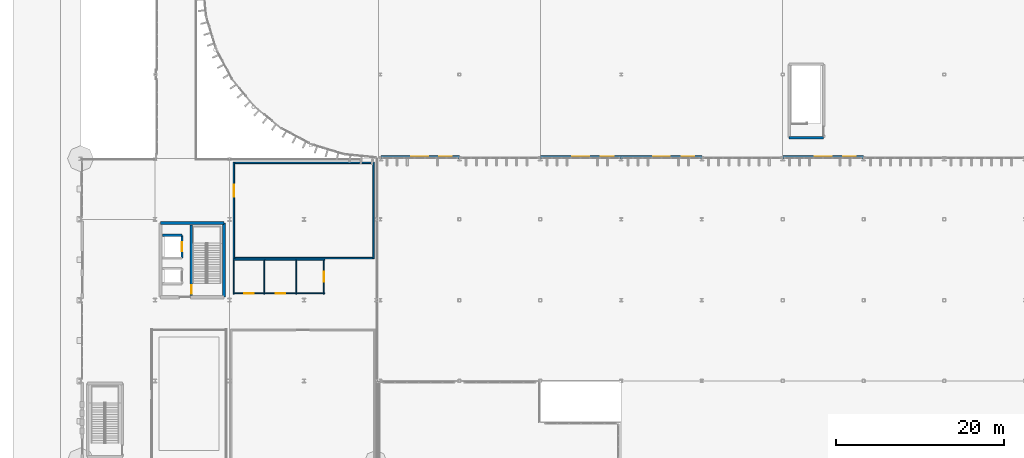
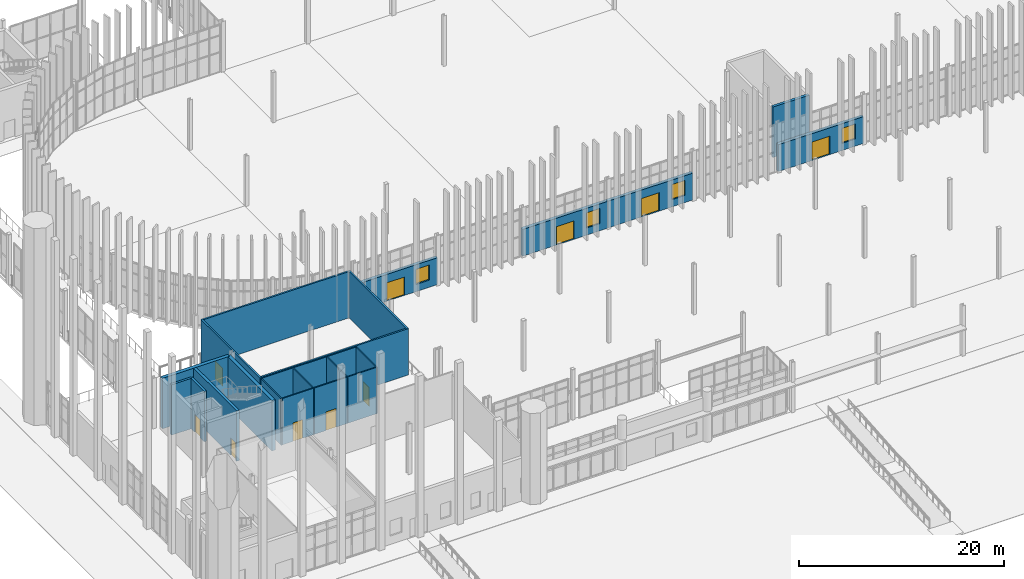
# One storey, part 102 of 139: 24 walls, 10 doors, 4 windows, 14 openings.
"""IFC4 building model written with IfcOpenShell, lengths in metres."""

from ifc_helpers import new_model, si_unit, direction, frame, frame_2d, origin, place, context, subcontext, project, spatial, rectangle, extrude, material, layer, layer_set, type_object, element, fill, save


model = new_model("IFC4")

# Units and contexts
model_context = context("Model", 3, precision=1e-05, world=origin(), true_north=direction((0.0, 1.0)))
body_context = subcontext(model_context, "Body", "Model", "MODEL_VIEW")
ifc_project = project(units=[si_unit("LENGTHUNIT", "METRE"), si_unit("AREAUNIT", "SQUARE_METRE"), si_unit("VOLUMEUNIT", "CUBIC_METRE"), si_unit("PLANEANGLEUNIT", "RADIAN"), si_unit("MASSUNIT", "GRAM", prefix="KILO")], contexts=[model_context])

# Site, building, storey
site_placement = place(None, origin())
site = spatial("IfcSite", under=ifc_project, at=site_placement, CompositionType="ELEMENT")
building_placement = place(site_placement, origin())
building = spatial("IfcBuilding", under=site, at=building_placement, Name="Yeouljin Market Hall", CompositionType="ELEMENT")
storey_placement = place(building_placement, origin())
storey = spatial("IfcBuildingStorey", under=building, at=storey_placement, Name="L00", CompositionType="ELEMENT", Elevation=0.0)

# Wall, opening, door
ifc_material_1 = material(Name="Ceramic-Faced Acoustic Partition")
ifc_layer_1 = layer(ifc_material_1, 0.18994140625)
ifc_layer_set_1 = layer_set([ifc_layer_1], Name="Ceramic-Faced Acoustic Partition")
wall_type_1 = type_object("IfcWallType", Name="Part_KitchenTile_190", PredefinedType="PARTITIONING", material=ifc_layer_set_1)
wall_1_placement = place(storey_placement, frame((18.199951171875, 35.580078125, 0.0), z_axis=(0.0, 0.0, 1.0), x_axis=(0.0, -1.0, 0.0)))
wall_1 = element("IfcWall", 1, at=wall_1_placement, inside=storey, type_object=wall_type_1, Name="Interior partition PART-L00-0056", PredefinedType="PARTITIONING", context=body_context, shape_type="SweptSolid", body=[
    extrude(rectangle(XDim=11.580078125, YDim=0.18994140625, at=frame_2d((5.7900390625, 0.0))), origin(), (0.0, 0.0, 1.0), 5.52001953125),
])
opening_1_placement = place(wall_1_placement, frame((2.64501953125, 0.0, 0.0)))
opening_1 = element("IfcOpeningElement", 2, at=opening_1_placement, cuts=wall_1, Name="Opening D-L00-018", PredefinedType="OPENING", context=body_context, shape_type="SweptSolid", body=[
    extrude(rectangle(XDim=1.43994140625, YDim=2.14990234375, at=frame_2d((0.719970703125, 1.074951171875))), frame((0.0, 0.10498046875, 0.0), z_axis=(0.0, -1.0, 0.0), x_axis=(1.0, 0.0, 0.0)), (0.0, 0.0, 1.0), 0.2099609375),
])
ifc_material_2 = material(Name="Painted Fire-Rated Steel", Category="steel")
door_type_1 = type_object("IfcDoorType", Name="DT-FD144", OperationType="NOTDEFINED", PredefinedType="DOOR", material=ifc_material_2)
door_1_placement = place(opening_1_placement, origin())
door_1 = element("IfcDoor", 3, at=door_1_placement, inside=storey, type_object=door_type_1, Name="Interior door D-L00-018 (Sesame Oil and Grain Mill Workshop)", OperationType="SINGLE_SWING_RIGHT", OverallHeight=2.14990234375, OverallWidth=1.43994140625, PredefinedType="DOOR", context=body_context, shape_type="SweptSolid", body=[
    extrude(rectangle(XDim=1.43994140625, YDim=2.14990234375, at=frame_2d((0.719970703125, 1.074951171875))), frame((0.0, 0.02490234375, 0.0), z_axis=(0.0, -1.0, 0.0), x_axis=(1.0, 0.0, 0.0)), (0.0, 0.0, 1.0), 0.050048828125),
])
fill(opening_1, door_1)

# Walls
for number, where, z_axis, x_axis, name in (
    (4, (18.1201171875, 24.199951171875, 0.0), (0.0, 0.0, 1.0), (1.0, 0.0, 0.0), "Interior partition PART-L00-0057"),
    (5, (34.8798828125, 35.5, 0.0), (0.0, 0.0, 1.0), (-1.0, 0.0, 0.0), "Interior partition PART-L00-0058"),
):
    element("IfcWall", number, at=place(storey_placement, frame(where, z_axis=z_axis, x_axis=x_axis)), inside=storey, type_object=wall_type_1, Name=name, PredefinedType="PARTITIONING", context=body_context, shape_type="SweptSolid", body=[
        extrude(rectangle(XDim=16.759765625, YDim=0.18994140625, at=frame_2d((8.3798828125, 0.0))), origin(), (0.0, 0.0, 1.0), 5.52001953125),
    ])
wall_2_placement = place(storey_placement, frame((34.800048828125, 24.1201171875, 0.0), z_axis=(0.0, 0.0, 1.0), x_axis=(0.0, 1.0, 0.0)))
element("IfcWall", 6, at=wall_2_placement, inside=storey, type_object=wall_type_1, Name="Interior partition PART-L00-0059", PredefinedType="PARTITIONING", context=body_context, shape_type="SweptSolid", body=[
    extrude(rectangle(XDim=11.4599609375, YDim=0.18994140625, at=frame_2d((5.72998046875, 0.0))), origin(), (0.0, 0.0, 1.0), 5.52001953125),
])

# Wall, opening, door
ifc_material_3 = material(Name="Moisture-Resistant Gypsum Partition")
ifc_layer_2 = layer(ifc_material_3, 0.1298828125)
ifc_layer_set_2 = layer_set([ifc_layer_2], Name="Moisture-Resistant Gypsum Partition")
wall_type_2 = type_object("IfcWallType", Name="Part_Sanitary_130", PredefinedType="PARTITIONING", material=ifc_layer_set_2)
wall_3_placement = place(storey_placement, frame((18.1201171875, 20.0, 0.0), z_axis=(0.0, 0.0, 1.0), x_axis=(1.0, 0.0, 0.0)))
wall_3 = element("IfcWall", 7, at=wall_3_placement, inside=storey, type_object=wall_type_2, Name="Interior partition PART-L00-0030", PredefinedType="PARTITIONING", context=body_context, shape_type="SweptSolid", body=[
    extrude(rectangle(XDim=3.759765625, YDim=0.1298828125, at=frame_2d((1.8798828125, 0.0))), origin(), (0.0, 0.0, 1.0), 5.52001953125),
])
opening_2_placement = place(wall_3_placement, frame((1.340087890625, 0.0, 0.0)))
opening_2 = element("IfcOpeningElement", 8, at=opening_2_placement, cuts=wall_3, Name="Opening D-L00-010", PredefinedType="OPENING", context=body_context, shape_type="SweptSolid", body=[
    extrude(rectangle(XDim=1.080078125, YDim=2.219970703125, at=frame_2d((0.5400390625, 1.10986328125))), frame((0.0, 0.074951171875, 0.0), z_axis=(0.0, -1.0, 0.0), x_axis=(1.0, 0.0, 0.0)), (0.0, 0.0, 1.0), 0.14990234375),
])
ifc_material_4 = material(Name="Acoustic Timber Veneer", Category="wood")
door_type_2 = type_object("IfcDoorType", Name="DT-ID108H", OperationType="NOTDEFINED", PredefinedType="DOOR", material=ifc_material_4)
door_2_placement = place(opening_2_placement, origin())
door_2 = element("IfcDoor", 9, at=door_2_placement, inside=storey, type_object=door_type_2, Name="Interior door D-L00-010 (Male WC)", OperationType="SINGLE_SWING_RIGHT", OverallHeight=2.219970703125, OverallWidth=1.080078125, PredefinedType="DOOR", context=body_context, shape_type="SweptSolid", body=[
    extrude(rectangle(XDim=1.080078125, YDim=2.219970703125, at=frame_2d((0.5400390625, 1.10986328125))), frame((0.0, 0.02490234375, 0.0), z_axis=(0.0, -1.0, 0.0), x_axis=(1.0, 0.0, 0.0)), (0.0, 0.0, 1.0), 0.050048828125),
])
fill(opening_2, door_2)

# Walls
for number, where, z_axis, x_axis, name in (
    (10, (21.800048828125, 19.919921875, 0.0), (0.0, 0.0, 1.0), (0.0, 1.0, 0.0), "Interior partition PART-L00-0031"),
    (11, (18.199951171875, 24.080078125, 0.0), (0.0, 0.0, 1.0), (0.0, -1.0, 0.0), "Interior partition PART-L00-0032"),
):
    element("IfcWall", number, at=place(storey_placement, frame(where, z_axis=z_axis, x_axis=x_axis)), inside=storey, type_object=wall_type_2, Name=name, PredefinedType="PARTITIONING", context=body_context, shape_type="SweptSolid", body=[
        extrude(rectangle(XDim=4.16015625, YDim=0.1298828125, at=frame_2d((2.080078125, 0.0))), origin(), (0.0, 0.0, 1.0), 5.52001953125),
    ])
wall_4_placement = place(storey_placement, frame((21.8798828125, 24.0, 0.0), z_axis=(0.0, 0.0, 1.0), x_axis=(-1.0, 0.0, 0.0)))
element("IfcWall", 12, at=wall_4_placement, inside=storey, type_object=wall_type_2, Name="Interior partition PART-L00-0033", PredefinedType="PARTITIONING", context=body_context, shape_type="SweptSolid", body=[
    extrude(rectangle(XDim=3.759765625, YDim=0.1298828125, at=frame_2d((1.8798828125, 0.0))), origin(), (0.0, 0.0, 1.0), 5.52001953125),
])

# Wall, opening, door
wall_5_placement = place(storey_placement, frame((21.800048828125, 20.0, 0.0), z_axis=(0.0, 0.0, 1.0), x_axis=(1.0, 0.0, 0.0)))
wall_5 = element("IfcWall", 13, at=wall_5_placement, inside=storey, type_object=wall_type_2, Name="Interior partition PART-L00-0034", PredefinedType="PARTITIONING", context=body_context, shape_type="SweptSolid", body=[
    extrude(rectangle(XDim=3.8798828125, YDim=0.1298828125, at=frame_2d((1.93994140625, 0.0))), origin(), (0.0, 0.0, 1.0), 5.52001953125),
])
opening_3_placement = place(wall_5_placement, frame((1.3701171875, 0.0, 0.0)))
opening_3 = element("IfcOpeningElement", 14, at=opening_3_placement, cuts=wall_5, Name="Opening D-L00-011", PredefinedType="OPENING", context=body_context, shape_type="SweptSolid", body=[
    extrude(rectangle(XDim=1.139892578125, YDim=2.219970703125, at=frame_2d((0.56982421875, 1.10986328125))), frame((0.0, 0.074951171875, 0.0), z_axis=(0.0, -1.0, 0.0), x_axis=(1.0, 0.0, 0.0)), (0.0, 0.0, 1.0), 0.14990234375),
])
ifc_material_5 = material(Name="Acoustic Timber Veneer", Category="wood")
door_type_3 = type_object("IfcDoorType", Name="DT-ID114H", OperationType="NOTDEFINED", PredefinedType="DOOR", material=ifc_material_5)
door_3_placement = place(opening_3_placement, origin())
door_3 = element("IfcDoor", 15, at=door_3_placement, inside=storey, type_object=door_type_3, Name="Interior door D-L00-011 (Female WC)", OperationType="SINGLE_SWING_LEFT", OverallHeight=2.219970703125, OverallWidth=1.139892578125, PredefinedType="DOOR", context=body_context, shape_type="SweptSolid", body=[
    extrude(rectangle(XDim=1.139892578125, YDim=2.219970703125, at=frame_2d((0.56982421875, 1.10986328125))), frame((0.0, 0.02490234375, 0.0), z_axis=(0.0, -1.0, 0.0), x_axis=(1.0, 0.0, 0.0)), (0.0, 0.0, 1.0), 0.050048828125),
])
fill(opening_3, door_3)

# Walls
wall_6_placement = place(storey_placement, frame((25.60009765625, 19.919921875, 0.0), z_axis=(0.0, 0.0, 1.0), x_axis=(0.0, 1.0, 0.0)))
element("IfcWall", 16, at=wall_6_placement, inside=storey, type_object=wall_type_2, Name="Interior partition PART-L00-0035", PredefinedType="PARTITIONING", context=body_context, shape_type="SweptSolid", body=[
    extrude(rectangle(XDim=4.16015625, YDim=0.1298828125, at=frame_2d((2.080078125, 0.0))), origin(), (0.0, 0.0, 1.0), 5.52001953125),
])
wall_7_placement = place(storey_placement, frame((25.679931640625, 24.0, 0.0), z_axis=(0.0, 0.0, 1.0), x_axis=(-1.0, 0.0, 0.0)))
element("IfcWall", 17, at=wall_7_placement, inside=storey, type_object=wall_type_2, Name="Interior partition PART-L00-0036", PredefinedType="PARTITIONING", context=body_context, shape_type="SweptSolid", body=[
    extrude(rectangle(XDim=3.8798828125, YDim=0.1298828125, at=frame_2d((1.93994140625, 0.0))), origin(), (0.0, 0.0, 1.0), 5.52001953125),
])

# Wall, opening, door
wall_8_placement = place(storey_placement, frame((28.89990234375, 19.919921875, 0.0), z_axis=(0.0, 0.0, 1.0), x_axis=(0.0, 1.0, 0.0)))
wall_8 = element("IfcWall", 18, at=wall_8_placement, inside=storey, type_object=wall_type_2, Name="Interior partition PART-L00-0037", PredefinedType="PARTITIONING", context=body_context, shape_type="SweptSolid", body=[
    extrude(rectangle(XDim=4.16015625, YDim=0.1298828125, at=frame_2d((2.080078125, 0.0))), origin(), (0.0, 0.0, 1.0), 5.52001953125),
])
opening_4_placement = place(wall_8_placement, frame((1.47998046875, 0.0, 0.0)))
opening_4 = element("IfcOpeningElement", 19, at=opening_4_placement, cuts=wall_8, Name="Opening D-L00-012", PredefinedType="OPENING", context=body_context, shape_type="SweptSolid", body=[
    extrude(rectangle(XDim=1.199951171875, YDim=2.219970703125, at=frame_2d((0.60009765625, 1.10986328125))), frame((0.0, 0.074951171875, 0.0), z_axis=(0.0, -1.0, 0.0), x_axis=(1.0, 0.0, 0.0)), (0.0, 0.0, 1.0), 0.14990234375),
])
ifc_material_6 = material(Name="Acoustic Timber Veneer", Category="wood")
door_type_4 = type_object("IfcDoorType", Name="DT-ID120H", OperationType="NOTDEFINED", PredefinedType="DOOR", material=ifc_material_6)
door_4_placement = place(opening_4_placement, origin())
door_4 = element("IfcDoor", 20, at=door_4_placement, inside=storey, type_object=door_type_4, Name="Interior door D-L00-012 (Accessible WC)", OperationType="SINGLE_SWING_RIGHT", OverallHeight=2.219970703125, OverallWidth=1.199951171875, PredefinedType="DOOR", context=body_context, shape_type="SweptSolid", body=[
    extrude(rectangle(XDim=1.199951171875, YDim=2.219970703125, at=frame_2d((0.60009765625, 1.10986328125))), frame((0.0, 0.02490234375, 0.0), z_axis=(0.0, -1.0, 0.0), x_axis=(1.0, 0.0, 0.0)), (0.0, 0.0, 1.0), 0.050048828125),
])
fill(opening_4, door_4)

# Walls
for number, where, z_axis, x_axis, name in (
    (21, (25.60009765625, 20.0, 0.0), (0.0, 0.0, 1.0), (1.0, 0.0, 0.0), "Interior partition PART-L00-0038"),
    (22, (28.97998046875, 24.0, 0.0), (0.0, 0.0, 1.0), (-1.0, 0.0, 0.0), "Interior partition PART-L00-0039"),
):
    element("IfcWall", number, at=place(storey_placement, frame(where, z_axis=z_axis, x_axis=x_axis)), inside=storey, type_object=wall_type_2, Name=name, PredefinedType="PARTITIONING", context=body_context, shape_type="SweptSolid", body=[
        extrude(rectangle(XDim=3.3798828125, YDim=0.1298828125, at=frame_2d((1.68994140625, 0.0))), origin(), (0.0, 0.0, 1.0), 5.52001953125),
    ])

# Wall, opening, door
ifc_material_7 = material(Name="Concrete C35/45", Category="concrete")
ifc_layer_3 = layer(ifc_material_7, 0.260009765625)
ifc_layer_set_3 = layer_set([ifc_layer_3], Name="Concrete C35/45")
wall_type_3 = type_object("IfcWallType", Name="Wall_Compartment_260", PredefinedType="SHEAR", material=ifc_layer_set_3)
wall_9_placement = place(storey_placement, frame((12.054931640625, 24.199951171875, 0.0), z_axis=(0.0, 0.0, 1.0), x_axis=(0.0, 1.0, 0.0)))
wall_9 = element("IfcWall", 23, at=wall_9_placement, inside=storey, type_object=wall_type_3, Name="Lift LS-01 hoistway front wall (L00)", PredefinedType="SHEAR", context=body_context, shape_type="SweptSolid", body=[
    extrude(rectangle(XDim=2.699951171875, YDim=0.260009765625, at=frame_2d((1.35009765625, 0.0))), origin(), (0.0, 0.0, 1.0), 6.0),
])
opening_5_placement = place(wall_9_placement, frame((0.800048828125, 0.0, 0.0)))
opening_5 = element("IfcOpeningElement", 24, at=opening_5_placement, cuts=wall_9, Name="Opening LD-LS-01-L00", PredefinedType="OPENING", context=body_context, shape_type="SweptSolid", body=[
    extrude(rectangle(XDim=1.10009765625, YDim=2.14990234375, at=frame_2d((0.550048828125, 1.074951171875))), frame((0.0, 0.139892578125, 0.0), z_axis=(0.0, -1.0, 0.0), x_axis=(1.0, 0.0, 0.0)), (0.0, 0.0, 1.0), 0.280029296875),
])
ifc_material_8 = material(Name="Brushed Stainless Steel", Category="steel")
door_type_5 = type_object("IfcDoorType", Name="LD-110", OperationType="SLIDING_TO_LEFT", PredefinedType="DOOR", material=ifc_material_8)
door_5_placement = place(opening_5_placement, origin())
door_5 = element("IfcDoor", 25, at=door_5_placement, inside=storey, type_object=door_type_5, Name="Lift landing sliding door LD-LS-01-L00", OperationType="SLIDING_TO_LEFT", OverallHeight=2.14990234375, OverallWidth=1.10009765625, PredefinedType="DOOR", context=body_context, shape_type="SweptSolid", body=[
    extrude(rectangle(XDim=1.10009765625, YDim=2.14990234375, at=frame_2d((0.550048828125, 1.074951171875))), frame((0.0, 0.02490234375, 0.0), z_axis=(0.0, -1.0, 0.0), x_axis=(1.0, 0.0, 0.0)), (0.0, 0.0, 1.0), 0.050048828125),
])
fill(opening_5, door_5)

# Walls
wall_10_placement = place(storey_placement, frame((9.699951171875, 26.89990234375, 0.0), z_axis=(0.0, 0.0, 1.0), x_axis=(1.0, 0.0, 0.0)))
element("IfcWall", 26, at=wall_10_placement, inside=storey, type_object=wall_type_3, Name="Lift LS-01 shaft cheek wall N (L00)", PredefinedType="SHEAR", context=body_context, shape_type="SweptSolid", body=[
    extrude(rectangle(XDim=2.35498046875, YDim=0.260009765625, at=frame_2d((1.177490234375, 0.0))), origin(), (0.0, 0.0, 1.0), 6.0),
])
ifc_material_9 = material(Name="Concrete C35/45", Category="concrete")
ifc_layer_4 = layer(ifc_material_9, 0.3798828125)
ifc_layer_set_4 = layer_set([ifc_layer_4], Name="Concrete C35/45")
wall_type_4 = type_object("IfcWallType", Name="Wall_CoreShear_380", PredefinedType="SHEAR", material=ifc_layer_set_4)
wall_11_placement = place(storey_placement, frame((17.050048828125, 28.35009765625, 0.0), z_axis=(0.0, 0.0, 1.0), x_axis=(-1.0, 0.0, 0.0)))
element("IfcWall", 27, at=wall_11_placement, inside=storey, type_object=wall_type_4, Name="Core C1 north shear wall (L00)", PredefinedType="SHEAR", context=body_context, shape_type="SweptSolid", body=[
    extrude(rectangle(XDim=7.550048828125, YDim=0.3798828125, at=frame_2d((3.77490234375, 0.0))), origin(), (0.0, 0.0, 1.0), 6.0),
])
wall_12_placement = place(storey_placement, frame((17.050048828125, 19.550048828125, 0.0), z_axis=(0.0, 0.0, 1.0), x_axis=(0.0, 1.0, 0.0)))
element("IfcWall", 28, at=wall_12_placement, inside=storey, type_object=wall_type_4, Name="Core C1 east shear wall (L00)", PredefinedType="SHEAR", context=body_context, shape_type="SweptSolid", body=[
    extrude(rectangle(XDim=8.800048828125, YDim=0.3798828125, at=frame_2d((4.39990234375, 0.0))), origin(), (0.0, 0.0, 1.0), 6.0),
])

# Wall, openings, door, window
ifc_material_10 = material(Name="Pocheon Granite Stone", Category="masonry")
ifc_layer_5 = layer(ifc_material_10, 0.3798828125)
ifc_layer_set_5 = layer_set([ifc_layer_5], Name="Pocheon Granite Stone")
wall_type_5 = type_object("IfcWallType", Name="Wall_Ext_GranitePlinth_380", PredefinedType="SOLIDWALL", material=ifc_layer_set_5)
wall_13_placement = place(storey_placement, frame((44.986083984375, 36.18994140625, 0.0), z_axis=(0.0, 0.0, 1.0), x_axis=(-1.0, 0.0, 0.0)))
wall_13 = element("IfcWall", 29, at=wall_13_placement, inside=storey, type_object=wall_type_5, Name="Exterior wall WE-V1S-L00-01", PredefinedType="SOLIDWALL", context=body_context, shape_type="SweptSolid", body=[
    extrude(rectangle(XDim=9.33203125, YDim=0.3798828125, at=frame_2d((4.666015625, 0.0))), origin(), (0.0, 0.0, 1.0), 3.199951171875),
])
opening_6_placement = place(wall_13_placement, frame((3.68603515625, 0.0, 0.0)))
opening_6 = element("IfcOpeningElement", 30, at=opening_6_placement, cuts=wall_13, Name="Opening ED-L00-01", PredefinedType="OPENING", context=body_context, shape_type="SweptSolid", body=[
    extrude(rectangle(XDim=2.0, YDim=2.199951171875, at=frame_2d((1.0, 1.10009765625))), frame((0.0, 0.199951171875, 0.0), z_axis=(0.0, -1.0, 0.0), x_axis=(1.0, 0.0, 0.0)), (0.0, 0.0, 1.0), 0.39990234375),
])
opening_7_placement = place(wall_13_placement, frame((0.885986328125, 0.0, 0.85009765625)))
opening_7 = element("IfcOpeningElement", 31, at=opening_7_placement, cuts=wall_13, Name="Opening WN-05", PredefinedType="OPENING", context=body_context, shape_type="SweptSolid", body=[
    extrude(rectangle(XDim=1.5, YDim=1.800048828125, at=frame_2d((0.75, 0.89990234375))), frame((0.0, 0.199951171875, 0.0), z_axis=(0.0, -1.0, 0.0), x_axis=(1.0, 0.0, 0.0)), (0.0, 0.0, 1.0), 0.39990234375),
])
ifc_material_11 = material(Name="Thermally Broken Aluminium", Category="aluminium")
door_type_6 = type_object("IfcDoorType", Name="DT-ED200", OperationType="NOTDEFINED", PredefinedType="DOOR", material=ifc_material_11)
door_6_placement = place(opening_6_placement, origin())
door_6 = element("IfcDoor", 32, at=door_6_placement, inside=storey, type_object=door_type_6, Name="Market hall boulevard exit door ED-L00-01", OperationType="DOUBLE_DOOR_SINGLE_SWING", OverallHeight=2.199951171875, OverallWidth=2.0, PredefinedType="DOOR", context=body_context, shape_type="SweptSolid", body=[
    extrude(rectangle(XDim=2.0, YDim=2.199951171875, at=frame_2d((1.0, 1.10009765625))), frame((0.0, 0.02490234375, 0.0), z_axis=(0.0, -1.0, 0.0), x_axis=(1.0, 0.0, 0.0)), (0.0, 0.0, 1.0), 0.050048828125),
])
fill(opening_6, door_6)
ifc_material_12 = material(Name="Low-E Insulated Glass", Category="glass")
window_type = type_object("IfcWindowType", Name="Win_Ladder_1500x1800", PartitioningType="DOUBLE_PANEL_HORIZONTAL", PredefinedType="WINDOW", material=ifc_material_12)
window_1_placement = place(opening_7_placement, origin())
window_1 = element("IfcWindow", 33, at=window_1_placement, inside=storey, type_object=window_type, Name="Exterior window WIN-V1S-01A", OverallHeight=1.800048828125, OverallWidth=1.5, PartitioningType="SINGLE_PANEL", PredefinedType="WINDOW", context=body_context, shape_type="SweptSolid", body=[
    extrude(rectangle(XDim=1.5, YDim=1.800048828125, at=frame_2d((0.75, 0.89990234375))), frame((0.0, 0.030029296875, 0.0), z_axis=(0.0, -1.0, 0.0), x_axis=(1.0, 0.0, 0.0)), (0.0, 0.0, 1.0), 0.06005859375),
])
fill(opening_7, window_1)

wall_14_placement = place(storey_placement, frame((64.18603515625, 36.18994140625, 0.0), z_axis=(0.0, 0.0, 1.0), x_axis=(-1.0, 0.0, 0.0)))
wall_14 = element("IfcWall", 34, at=wall_14_placement, inside=storey, type_object=wall_type_5, Name="Exterior wall WE-V1S-L00-03", PredefinedType="SOLIDWALL", context=body_context, shape_type="SweptSolid", body=[
    extrude(rectangle(XDim=9.572021484375, YDim=0.3798828125, at=frame_2d((4.7861328125, 0.0))), origin(), (0.0, 0.0, 1.0), 3.199951171875),
])
opening_8_placement = place(wall_14_placement, frame((3.785888671875, 0.0, 0.0)))
opening_8 = element("IfcOpeningElement", 35, at=opening_8_placement, cuts=wall_14, Name="Opening ED-L00-02", PredefinedType="OPENING", context=body_context, shape_type="SweptSolid", body=[
    extrude(rectangle(XDim=2.0, YDim=2.199951171875, at=frame_2d((1.0, 1.10009765625))), frame((0.0, 0.199951171875, 0.0), z_axis=(0.0, -1.0, 0.0), x_axis=(1.0, 0.0, 0.0)), (0.0, 0.0, 1.0), 0.39990234375),
])
opening_9_placement = place(wall_14_placement, frame((0.885986328125, 0.0, 0.85009765625)))
opening_9 = element("IfcOpeningElement", 36, at=opening_9_placement, cuts=wall_14, Name="Opening WN-05", PredefinedType="OPENING", context=body_context, shape_type="SweptSolid", body=[
    extrude(rectangle(XDim=1.5, YDim=1.800048828125, at=frame_2d((0.75, 0.89990234375))), frame((0.0, 0.199951171875, 0.0), z_axis=(0.0, -1.0, 0.0), x_axis=(1.0, 0.0, 0.0)), (0.0, 0.0, 1.0), 0.39990234375),
])
door_7_placement = place(opening_8_placement, origin())
door_7 = element("IfcDoor", 37, at=door_7_placement, inside=storey, type_object=door_type_6, Name="Market hall boulevard exit door ED-L00-02", OperationType="DOUBLE_DOOR_SINGLE_SWING", OverallHeight=2.199951171875, OverallWidth=2.0, PredefinedType="DOOR", context=body_context, shape_type="SweptSolid", body=[
    extrude(rectangle(XDim=2.0, YDim=2.199951171875, at=frame_2d((1.0, 1.10009765625))), frame((0.0, 0.02490234375, 0.0), z_axis=(0.0, -1.0, 0.0), x_axis=(1.0, 0.0, 0.0)), (0.0, 0.0, 1.0), 0.050048828125),
])
fill(opening_8, door_7)
window_2_placement = place(opening_9_placement, origin())
window_2 = element("IfcWindow", 38, at=window_2_placement, inside=storey, type_object=window_type, Name="Exterior window WIN-V1S-03A", OverallHeight=1.800048828125, OverallWidth=1.5, PartitioningType="SINGLE_PANEL", PredefinedType="WINDOW", context=body_context, shape_type="SweptSolid", body=[
    extrude(rectangle(XDim=1.5, YDim=1.800048828125, at=frame_2d((0.75, 0.89990234375))), frame((0.0, 0.030029296875, 0.0), z_axis=(0.0, -1.0, 0.0), x_axis=(1.0, 0.0, 0.0)), (0.0, 0.0, 1.0), 0.06005859375),
])
fill(opening_9, window_2)

wall_15_placement = place(storey_placement, frame((73.785888671875, 36.18994140625, 0.0), z_axis=(0.0, 0.0, 1.0), x_axis=(-1.0, 0.0, 0.0)))
wall_15 = element("IfcWall", 39, at=wall_15_placement, inside=storey, type_object=wall_type_5, Name="Exterior wall WE-V1S-L00-04", PredefinedType="SOLIDWALL", context=body_context, shape_type="SweptSolid", body=[
    extrude(rectangle(XDim=9.57177734375, YDim=0.3798828125, at=frame_2d((4.785888671875, 0.0))), origin(), (0.0, 0.0, 1.0), 3.199951171875),
])
opening_10_placement = place(wall_15_placement, frame((3.785888671875, 0.0, 0.0)))
opening_10 = element("IfcOpeningElement", 40, at=opening_10_placement, cuts=wall_15, Name="Opening ED-L00-03", PredefinedType="OPENING", context=body_context, shape_type="SweptSolid", body=[
    extrude(rectangle(XDim=2.0, YDim=2.199951171875, at=frame_2d((1.0, 1.10009765625))), frame((0.0, 0.199951171875, 0.0), z_axis=(0.0, -1.0, 0.0), x_axis=(1.0, 0.0, 0.0)), (0.0, 0.0, 1.0), 0.39990234375),
])
opening_11_placement = place(wall_15_placement, frame((0.885986328125, 0.0, 0.85009765625)))
opening_11 = element("IfcOpeningElement", 41, at=opening_11_placement, cuts=wall_15, Name="Opening WN-05", PredefinedType="OPENING", context=body_context, shape_type="SweptSolid", body=[
    extrude(rectangle(XDim=1.5, YDim=1.800048828125, at=frame_2d((0.75, 0.89990234375))), frame((0.0, 0.199951171875, 0.0), z_axis=(0.0, -1.0, 0.0), x_axis=(1.0, 0.0, 0.0)), (0.0, 0.0, 1.0), 0.39990234375),
])
door_8_placement = place(opening_10_placement, origin())
door_8 = element("IfcDoor", 42, at=door_8_placement, inside=storey, type_object=door_type_6, Name="Market hall boulevard exit door ED-L00-03", OperationType="DOUBLE_DOOR_SINGLE_SWING", OverallHeight=2.199951171875, OverallWidth=2.0, PredefinedType="DOOR", context=body_context, shape_type="SweptSolid", body=[
    extrude(rectangle(XDim=2.0, YDim=2.199951171875, at=frame_2d((1.0, 1.10009765625))), frame((0.0, 0.02490234375, 0.0), z_axis=(0.0, -1.0, 0.0), x_axis=(1.0, 0.0, 0.0)), (0.0, 0.0, 1.0), 0.050048828125),
])
fill(opening_10, door_8)
window_3_placement = place(opening_11_placement, origin())
window_3 = element("IfcWindow", 43, at=window_3_placement, inside=storey, type_object=window_type, Name="Exterior window WIN-V1S-04A", OverallHeight=1.800048828125, OverallWidth=1.5, PartitioningType="SINGLE_PANEL", PredefinedType="WINDOW", context=body_context, shape_type="SweptSolid", body=[
    extrude(rectangle(XDim=1.5, YDim=1.800048828125, at=frame_2d((0.75, 0.89990234375))), frame((0.0, 0.030029296875, 0.0), z_axis=(0.0, -1.0, 0.0), x_axis=(1.0, 0.0, 0.0)), (0.0, 0.0, 1.0), 0.06005859375),
])
fill(opening_11, window_3)

wall_16_placement = place(storey_placement, frame((92.986083984375, 36.18994140625, 0.0), z_axis=(0.0, 0.0, 1.0), x_axis=(-1.0, 0.0, 0.0)))
wall_16 = element("IfcWall", 44, at=wall_16_placement, inside=storey, type_object=wall_type_5, Name="Exterior wall WE-V1S-L00-06", PredefinedType="SOLIDWALL", context=body_context, shape_type="SweptSolid", body=[
    extrude(rectangle(XDim=9.572021484375, YDim=0.3798828125, at=frame_2d((4.7861328125, 0.0))), origin(), (0.0, 0.0, 1.0), 3.199951171875),
])
opening_12_placement = place(wall_16_placement, frame((3.785888671875, 0.0, 0.0)))
opening_12 = element("IfcOpeningElement", 45, at=opening_12_placement, cuts=wall_16, Name="Opening ED-L00-04", PredefinedType="OPENING", context=body_context, shape_type="SweptSolid", body=[
    extrude(rectangle(XDim=2.0, YDim=2.199951171875, at=frame_2d((1.0, 1.10009765625))), frame((0.0, 0.199951171875, 0.0), z_axis=(0.0, -1.0, 0.0), x_axis=(1.0, 0.0, 0.0)), (0.0, 0.0, 1.0), 0.39990234375),
])
opening_13_placement = place(wall_16_placement, frame((0.885986328125, 0.0, 0.85009765625)))
opening_13 = element("IfcOpeningElement", 46, at=opening_13_placement, cuts=wall_16, Name="Opening WN-05", PredefinedType="OPENING", context=body_context, shape_type="SweptSolid", body=[
    extrude(rectangle(XDim=1.5, YDim=1.800048828125, at=frame_2d((0.75, 0.89990234375))), frame((0.0, 0.199951171875, 0.0), z_axis=(0.0, -1.0, 0.0), x_axis=(1.0, 0.0, 0.0)), (0.0, 0.0, 1.0), 0.39990234375),
])
door_9_placement = place(opening_12_placement, origin())
door_9 = element("IfcDoor", 47, at=door_9_placement, inside=storey, type_object=door_type_6, Name="Market hall boulevard exit door ED-L00-04", OperationType="DOUBLE_DOOR_SINGLE_SWING", OverallHeight=2.199951171875, OverallWidth=2.0, PredefinedType="DOOR", context=body_context, shape_type="SweptSolid", body=[
    extrude(rectangle(XDim=2.0, YDim=2.199951171875, at=frame_2d((1.0, 1.10009765625))), frame((0.0, 0.02490234375, 0.0), z_axis=(0.0, -1.0, 0.0), x_axis=(1.0, 0.0, 0.0)), (0.0, 0.0, 1.0), 0.050048828125),
])
fill(opening_12, door_9)
window_4_placement = place(opening_13_placement, origin())
window_4 = element("IfcWindow", 48, at=window_4_placement, inside=storey, type_object=window_type, Name="Exterior window WIN-V1S-06A", OverallHeight=1.800048828125, OverallWidth=1.5, PartitioningType="SINGLE_PANEL", PredefinedType="WINDOW", context=body_context, shape_type="SweptSolid", body=[
    extrude(rectangle(XDim=1.5, YDim=1.800048828125, at=frame_2d((0.75, 0.89990234375))), frame((0.0, 0.030029296875, 0.0), z_axis=(0.0, -1.0, 0.0), x_axis=(1.0, 0.0, 0.0)), (0.0, 0.0, 1.0), 0.06005859375),
])
fill(opening_13, window_4)

# Wall, opening, door
ifc_material_13 = material(Name="Concrete C35/45", Category="concrete")
ifc_layer_6 = layer(ifc_material_13, 0.300048828125)
ifc_layer_set_6 = layer_set([ifc_layer_6], Name="Concrete C35/45")
wall_type_6 = type_object("IfcWallType", Name="Wall_ShaftShear_300", PredefinedType="SHEAR", material=ifc_layer_set_6)
wall_17_placement = place(storey_placement, frame((13.14990234375, 19.75, 0.0), z_axis=(0.0, 0.0, 1.0), x_axis=(0.0, 1.0, 0.0)))
wall_17 = element("IfcWall", 49, at=wall_17_placement, inside=storey, type_object=wall_type_6, Name="Core C1 stairwell divider wall (L00)", PredefinedType="SHEAR", context=body_context, shape_type="SweptSolid", body=[
    extrude(rectangle(XDim=8.39990234375, YDim=0.300048828125, at=frame_2d((4.199951171875, 0.0))), origin(), (0.0, 0.0, 1.0), 6.0),
])
opening_14_placement = place(wall_17_placement, frame((0.199951171875, 0.0, 0.0)))
opening_14 = element("IfcOpeningElement", 50, at=opening_14_placement, cuts=wall_17, Name="Opening SD-C1-L00", PredefinedType="OPENING", context=body_context, shape_type="SweptSolid", body=[
    extrude(rectangle(XDim=1.02001953125, YDim=2.10009765625, at=frame_2d((0.510009765625, 1.050048828125))), frame((0.0, 0.159912109375, 0.0), z_axis=(0.0, -1.0, 0.0), x_axis=(1.0, 0.0, 0.0)), (0.0, 0.0, 1.0), 0.320068359375),
])
ifc_material_14 = material(Name="Painted Fire-Rated Steel", Category="steel")
door_type_7 = type_object("IfcDoorType", Name="DT-FD102", OperationType="NOTDEFINED", PredefinedType="DOOR", material=ifc_material_14)
door_10_placement = place(opening_14_placement, origin())
door_10 = element("IfcDoor", 51, at=door_10_placement, inside=storey, type_object=door_type_7, Name="Core C1 exit stair door (L00)", OperationType="SINGLE_SWING_RIGHT", OverallHeight=2.10009765625, OverallWidth=1.02001953125, PredefinedType="DOOR", context=body_context, shape_type="SweptSolid", body=[
    extrude(rectangle(XDim=1.02001953125, YDim=2.10009765625, at=frame_2d((0.510009765625, 1.050048828125))), frame((0.0, 0.02490234375, 0.0), z_axis=(0.0, -1.0, 0.0), x_axis=(1.0, 0.0, 0.0)), (0.0, 0.0, 1.0), 0.050048828125),
])
fill(opening_14, door_10)

# Wall
wall_18_placement = place(storey_placement, frame((84.14990234375, 38.5, 0.0), z_axis=(0.0, 0.0, 1.0), x_axis=(1.0, 0.0, 0.0)))
element("IfcWall", 52, at=wall_18_placement, inside=storey, type_object=wall_type_6, Name="Core S9 south shear wall (L00)", PredefinedType="SHEAR", context=body_context, shape_type="SweptSolid", body=[
    extrude(rectangle(XDim=4.10009765625, YDim=0.300048828125, at=frame_2d((2.050048828125, 0.0))), origin(), (0.0, 0.0, 1.0), 6.0),
])

save(model, "model.ifc")
